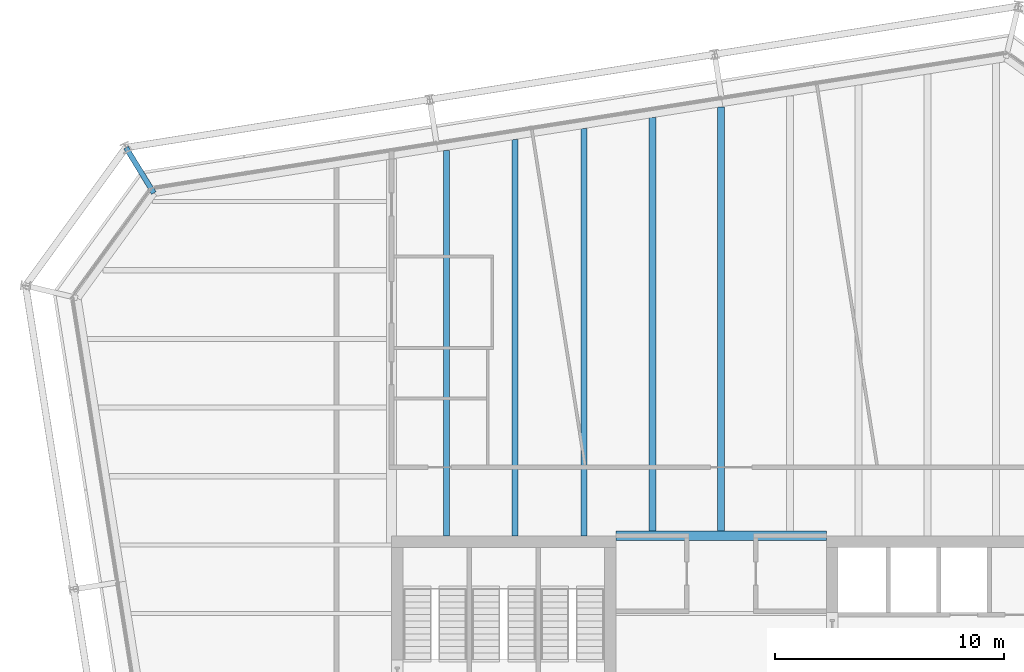
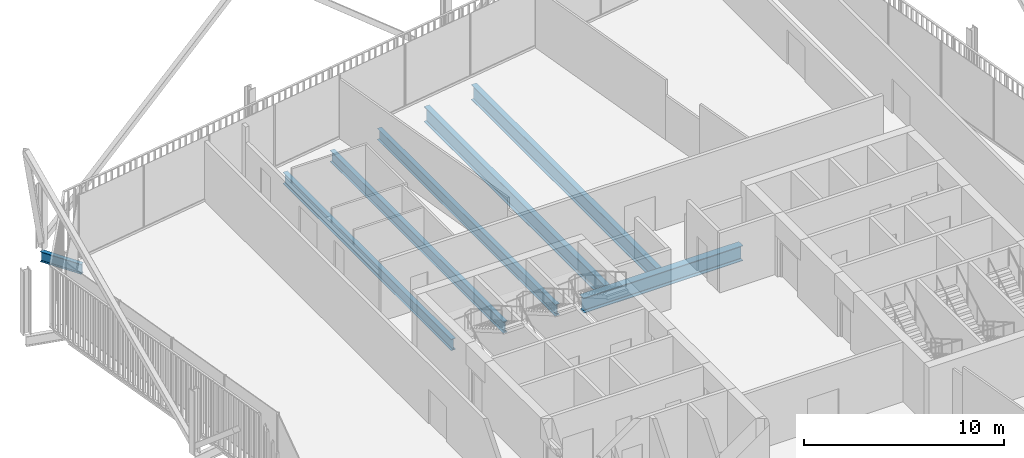
# One storey, part 12 of 21: 7 beams.
"""IFC4 building model written with IfcOpenShell, lengths in metres."""

from ifc_helpers import new_model, si_unit, direction, frame, origin, origin_2d, place, context, subcontext, project, spatial, i_section, extrude, material, material_profile, profile_set, type_object, element, save


model = new_model("IFC4")

# Units and contexts
model_context = context("Model", 3, precision=1e-05, world=origin(), true_north=direction((0.0, 1.0)))
body_context = subcontext(model_context, "Body", "Model", "MODEL_VIEW")
ifc_project = project(units=[si_unit("LENGTHUNIT", "METRE"), si_unit("AREAUNIT", "SQUARE_METRE"), si_unit("VOLUMEUNIT", "CUBIC_METRE"), si_unit("PLANEANGLEUNIT", "RADIAN"), si_unit("MASSUNIT", "GRAM", prefix="KILO")], contexts=[model_context])

# Site, building, storey
site_placement = place(None, origin())
site = spatial("IfcSite", under=ifc_project, at=site_placement, CompositionType="ELEMENT")
building_placement = place(site_placement, origin())
building = spatial("IfcBuilding", under=site, at=building_placement, Name="Millrace Tower", CompositionType="ELEMENT")
storey_placement = place(building_placement, frame((0.0, 0.0, 235.89990234375)))
storey = spatial("IfcBuildingStorey", under=building, at=storey_placement, Name="L54", CompositionType="ELEMENT", Elevation=235.89990234375)

# Beams
ifc_material_1 = material(Name="Steel ASTM A992 Grade 50", Category="steel")
ifc_material_profile_1 = material_profile(ifc_material_1, i_section(OverallWidth=0.256591796875, OverallDepth=0.693359375, WebThickness=0.014404296875, FlangeThickness=0.023681640625, FilletRadius=0.01513671875, at=origin_2d()))
ifc_profile_set_1 = profile_set([ifc_material_profile_1], Name="Steel ASTM A992 Grade 50")
beam_type_1 = type_object("IfcBeamType", Name="Floor beam W27x114", PredefinedType="JOIST", material=ifc_profile_set_1)
beam_1_placement = place(storey_placement, frame((-12.0, 9.39990234375, -0.506591796875), z_axis=(0.0, 1.0, 0.0), x_axis=(-1.0, 0.0, 0.0)))
element("IfcBeam", 1, at=beam_1_placement, inside=storey, type_object=beam_type_1, Name="BM-D-L54-S1-S036", PredefinedType="JOIST", context=body_context, shape_type="SweptSolid", body=[
    extrude(i_section(OverallWidth=0.256591796875, OverallDepth=0.693359375, WebThickness=0.014404296875, FlangeThickness=0.023681640625, FilletRadius=0.01513671875, at=origin_2d()), origin(), (0.0, 0.0, 1.0), 16.8369140625),
])
beam_2_placement = place(storey_placement, frame((-9.0, 9.39990234375, -0.506591796875), z_axis=(0.0, 1.0, 0.0), x_axis=(-1.0, 0.0, 0.0)))
element("IfcBeam", 2, at=beam_2_placement, inside=storey, type_object=beam_type_1, Name="BM-D-L54-S1-S038", PredefinedType="JOIST", context=body_context, shape_type="SweptSolid", body=[
    extrude(i_section(OverallWidth=0.256591796875, OverallDepth=0.693359375, WebThickness=0.014404296875, FlangeThickness=0.023681640625, FilletRadius=0.01513671875, at=origin_2d()), origin(), (0.0, 0.0, 1.0), 17.31201171875),
])
beam_3_placement = place(storey_placement, frame((-6.0, 9.39990234375, -0.506591796875), z_axis=(0.0, 1.0, 0.0), x_axis=(-1.0, 0.0, 0.0)))
element("IfcBeam", 3, at=beam_3_placement, inside=storey, type_object=beam_type_1, Name="BM-D-L54-S1-S040", PredefinedType="JOIST", context=body_context, shape_type="SweptSolid", body=[
    extrude(i_section(OverallWidth=0.256591796875, OverallDepth=0.693359375, WebThickness=0.014404296875, FlangeThickness=0.023681640625, FilletRadius=0.01513671875, at=origin_2d()), origin(), (0.0, 0.0, 1.0), 17.787109375),
])
ifc_material_2 = material(Name="Steel ASTM A992 Grade 50", Category="steel")
ifc_material_profile_2 = material_profile(ifc_material_2, i_section(OverallWidth=0.307373046875, OverallDepth=0.927001953125, WebThickness=0.01953125, FlangeThickness=0.031982421875, FilletRadius=0.01904296875, at=origin_2d()))
ifc_profile_set_2 = profile_set([ifc_material_profile_2], Name="Steel ASTM A992 Grade 50")
beam_type_2 = type_object("IfcBeamType", Name="Floor beam W36x194", PredefinedType="JOIST", material=ifc_profile_set_2)
beam_4_placement = place(storey_placement, frame((-3.0, 9.609619140625, -0.62353515625), z_axis=(0.0, 1.0, 0.0), x_axis=(-1.0, 0.0, 0.0)))
element("IfcBeam", 4, at=beam_4_placement, inside=storey, type_object=beam_type_2, Name="BM-D-L54-S1-S042", PredefinedType="JOIST", context=body_context, shape_type="SweptSolid", body=[
    extrude(i_section(OverallWidth=0.307373046875, OverallDepth=0.927001953125, WebThickness=0.01953125, FlangeThickness=0.031982421875, FilletRadius=0.01904296875, at=origin_2d()), origin(), (0.0, 0.0, 1.0), 18.052490234375),
])
beam_5_placement = place(storey_placement, frame((0.0, 9.609619140625, -0.62353515625), z_axis=(0.0, 1.0, 0.0), x_axis=(-1.0, 0.0, 0.0)))
element("IfcBeam", 5, at=beam_5_placement, inside=storey, type_object=beam_type_2, Name="BM-D-L54-S1-S044", PredefinedType="JOIST", context=body_context, shape_type="SweptSolid", body=[
    extrude(i_section(OverallWidth=0.307373046875, OverallDepth=0.927001953125, WebThickness=0.01953125, FlangeThickness=0.031982421875, FilletRadius=0.01904296875, at=origin_2d()), origin(), (0.0, 0.0, 1.0), 18.527587890625),
])
ifc_material_3 = material(Name="Steel ASTM A992 Grade 50", Category="steel")
ifc_material_profile_3 = material_profile(ifc_material_3, i_section(OverallWidth=0.419189453125, OverallDepth=0.927001953125, WebThickness=0.019287109375, FlangeThickness=0.031982421875, FilletRadius=0.024169921875, at=origin_2d()))
ifc_profile_set_3 = profile_set([ifc_material_profile_3], Name="Steel ASTM A992 Grade 50")
beam_type_3 = type_object("IfcBeamType", Name="Girder short span W36x231", PredefinedType="BEAM", material=ifc_profile_set_3)
beam_6_placement = place(storey_placement, frame((-4.60009765625, 9.39990234375, -0.62353515625), z_axis=(1.0, 0.0, 0.0), x_axis=(0.0, 1.0, 0.0)))
element("IfcBeam", 6, at=beam_6_placement, inside=storey, type_object=beam_type_3, Name="BM-D-L54-S1-G058", PredefinedType="BEAM", context=body_context, shape_type="SweptSolid", body=[
    extrude(i_section(OverallWidth=0.419189453125, OverallDepth=0.927001953125, WebThickness=0.019287109375, FlangeThickness=0.031982421875, FilletRadius=0.024169921875, at=origin_2d()), origin(), (0.0, 0.0, 1.0), 9.2001953125),
])
ifc_material_4 = material(Name="Steel ASTM A992 Grade 50", Category="steel")
ifc_material_profile_4 = material_profile(ifc_material_4, i_section(OverallWidth=0.23046875, OverallDepth=0.6171875, WebThickness=0.01318359375, FlangeThickness=0.022216796875, FilletRadius=0.012939453125, at=origin_2d()))
ifc_profile_set_4 = profile_set([ifc_material_profile_4], Name="Steel ASTM A992 Grade 50")
beam_type_4 = type_object("IfcBeamType", Name="Link beam W24x94", PredefinedType="BEAM", material=ifc_profile_set_4)
beam_7_placement = place(storey_placement, frame((-24.7783203125, 24.368408203125, -0.468505859375), z_axis=(-0.522512938711, 0.852631355792, 0.0), x_axis=(-0.852631355792, -0.522512938711, 0.0)))
element("IfcBeam", 7, at=beam_7_placement, inside=storey, type_object=beam_type_4, Name="LNK-D-L54-S1-05", PredefinedType="BEAM", context=body_context, shape_type="SweptSolid", body=[
    extrude(i_section(OverallWidth=0.23046875, OverallDepth=0.6171875, WebThickness=0.01318359375, FlangeThickness=0.022216796875, FilletRadius=0.012939453125, at=origin_2d()), origin(), (0.0, 0.0, 1.0), 2.3310546875),
])

save(model, "model.ifc")
